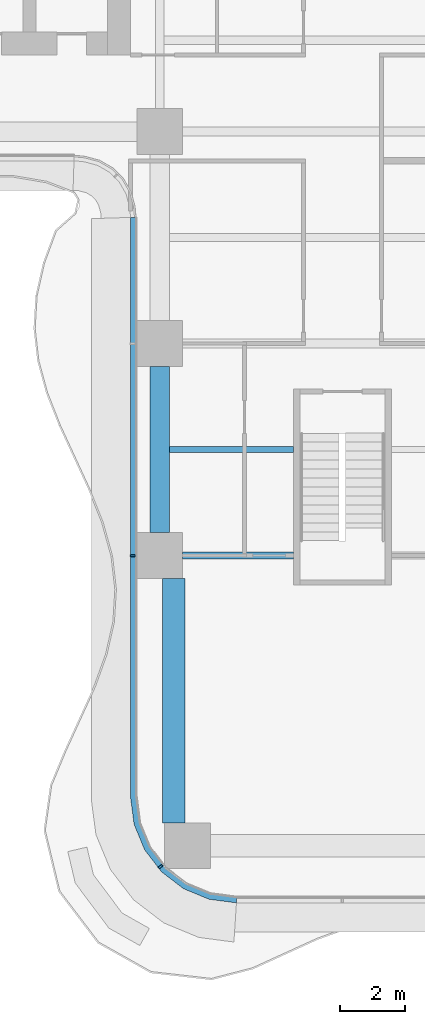
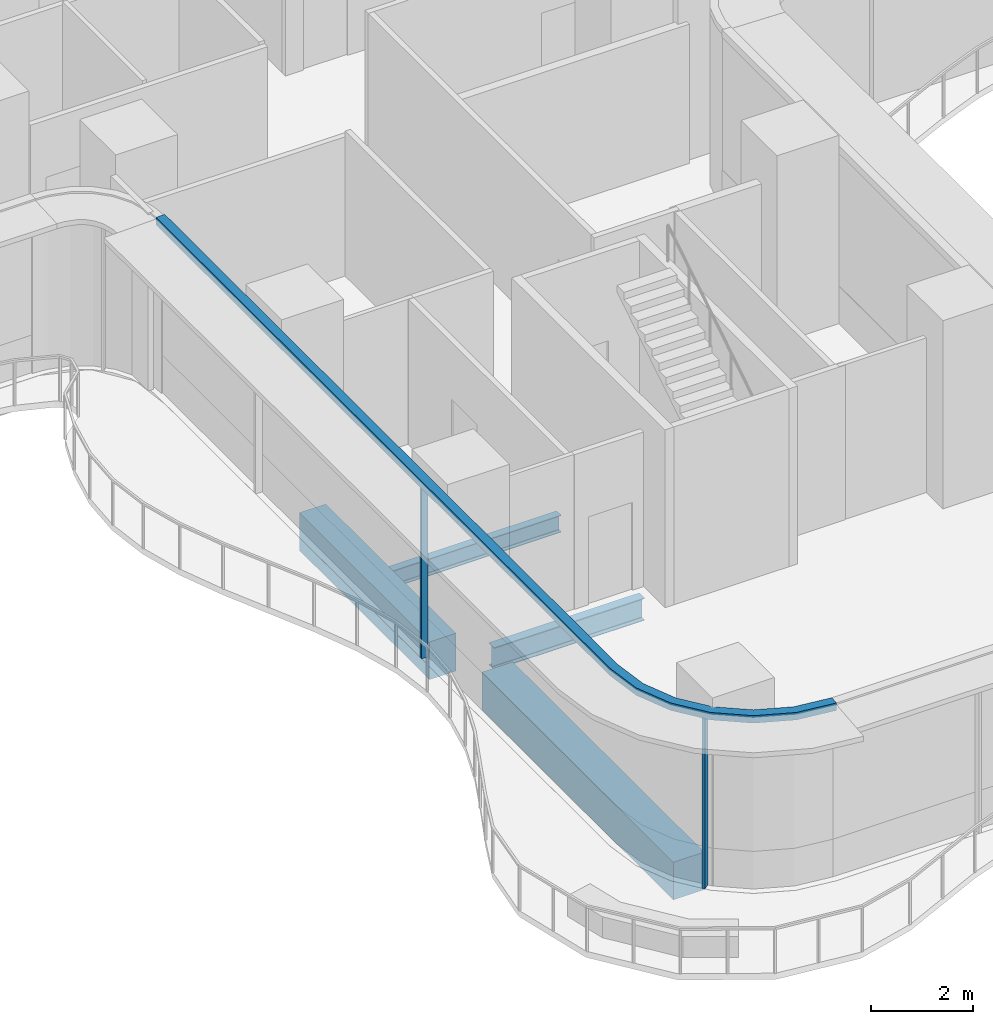
# One storey, part 2 of 22: 4 beams, 3 members, 1 element without a shape of its own.
"""IFC4 building model written with IfcOpenShell, lengths in metres."""

import ifcopenshell
import ifcopenshell.guid

model = None  # the IFC model being written
_history = None  # IfcOwnerHistory: only IFC2X3 demands one
_inside = {}  # id of a spatial element -> (the spatial element, [elements in it])
_under = {}  # id of a project, library or spatial element -> (it, [spatial elements below it])
_declared = {}  # id of a project -> (the project, [libraries it declares])
_typed = {}  # id of a type object -> (the type object, [elements of that type])
_made_of = {}  # id of a material, layer set ... -> (it, [elements and type objects made of it])


def new_model(schema):
    """Start an empty IFC model of exactly this schema.

    Asked for "IFC4X3", IfcOpenShell would pick the latest addendum, in which some entities
    have other attributes; the version numbers below select the first issue.
    IFC2X3 requires an IfcOwnerHistory on every rooted entity: one is made here for all.
    """
    global model, _history
    if schema == "IFC4X3":
        model = ifcopenshell.file(schema_version=(4, 3, 0, 0))
    else:
        model = ifcopenshell.file(schema=schema)
    _inside.clear()
    _under.clear()
    _declared.clear()
    _typed.clear()
    _made_of.clear()
    _history = None
    if model.schema == "IFC2X3":
        org = make("IfcOrganization", Name="unknown")
        user = make(
            "IfcPersonAndOrganization",
            ThePerson=make("IfcPerson", FamilyName="unknown"),
            TheOrganization=org,
        )
        app = make(
            "IfcApplication",
            ApplicationDeveloper=org,
            Version="unknown",
            ApplicationFullName="unknown",
            ApplicationIdentifier="unknown",
        )
        _history = make(
            "IfcOwnerHistory",
            OwningUser=user,
            OwningApplication=app,
            ChangeAction="ADDED",
            CreationDate=0,
        )
    return model


def make(cls, **values):
    """One entity of the class cls with the attributes given. An attribute that is None is left unset."""
    return model.create_entity(
        cls, **{name: value for name, value in values.items() if value is not None}
    )


def rooted(cls, **values):
    """An entity with a GlobalId (a new one), such as an element, a storey or a relation."""
    return make(cls, GlobalId=ifcopenshell.guid.new(), OwnerHistory=_history, **values)


def si_unit(unit_type, name, prefix=None):
    """IfcSIUnit, for example si_unit("LENGTHUNIT", "METRE", prefix="MILLI")."""
    return make("IfcSIUnit", UnitType=unit_type, Prefix=prefix, Name=name)


def assignment(units):
    """IfcUnitAssignment: the units of a project."""
    return None if units is None else make("IfcUnitAssignment", Units=units)


def point(xyz):
    """IfcCartesianPoint."""
    return None if xyz is None else make("IfcCartesianPoint", Coordinates=xyz)


def direction(xyz):
    """IfcDirection."""
    return None if xyz is None else make("IfcDirection", DirectionRatios=xyz)


def frame(location, z_axis=None, x_axis=None):
    """IfcAxis2Placement3D, a coordinate frame: its origin and axes. An axis left out is left unset."""
    return make(
        "IfcAxis2Placement3D",
        Location=point(location),
        Axis=direction(z_axis),
        RefDirection=direction(x_axis),
    )


def frame_2d(location, x_axis=None):
    """IfcAxis2Placement2D, a coordinate frame in the plane: its origin and x axis."""
    return make(
        "IfcAxis2Placement2D", Location=point(location), RefDirection=direction(x_axis)
    )


def origin():
    """The frame at (0, 0, 0) with its axes left unset."""
    return frame((0.0, 0.0, 0.0))


def origin_2d():
    """The frame at (0, 0) in the plane with its x axis left unset."""
    return frame_2d((0.0, 0.0))


def place(relative_to, where):
    """IfcLocalPlacement: puts the frame where relative to a parent placement (None: the world)."""
    return make(
        "IfcLocalPlacement", PlacementRelTo=relative_to, RelativePlacement=where
    )


def context(
    kind, dimensions, precision=None, world=None, true_north=None, identifier=None
):
    """IfcGeometricRepresentationContext, for example the 3D "Model" context."""
    return make(
        "IfcGeometricRepresentationContext",
        ContextIdentifier=identifier,
        ContextType=kind,
        CoordinateSpaceDimension=dimensions,
        Precision=precision,
        WorldCoordinateSystem=world,
        TrueNorth=true_north,
    )


def subcontext(parent, identifier, kind, view, scale=None):
    """IfcGeometricRepresentationSubContext, for example "Body" below "Model"."""
    return make(
        "IfcGeometricRepresentationSubContext",
        ContextIdentifier=identifier,
        ContextType=kind,
        ParentContext=parent,
        TargetScale=scale,
        TargetView=view,
    )


def project(units=None, contexts=None):
    """IfcProject with its units and contexts."""
    return rooted(
        "IfcProject",
        Name="project",
        RepresentationContexts=contexts,
        UnitsInContext=assignment(units),
    )


def spatial(cls, under=None, at=None, **own):
    """A site, building, storey or space (cls), placed at a placement, below another one or the project."""
    s = rooted(cls, ObjectPlacement=at, **own)
    if under is not None:
        _under.setdefault(under.id(), (under, []))[1].append(s)
    return s


def polyline(points):
    """IfcPolyline through the points."""
    return make("IfcPolyline", Points=[point(p) for p in points])


def profile(cls, at=None, kind="AREA", **sizes):
    """A parametric profile (cls). Its sizes go by their IFC names, for example OverallWidth=200.0."""
    return make(cls, ProfileType=kind, Position=at, **sizes)


def rectangle(**sizes):
    """IfcRectangleProfileDef."""
    return profile("IfcRectangleProfileDef", **sizes)


def i_section(**sizes):
    """IfcIShapeProfileDef."""
    return profile("IfcIShapeProfileDef", **sizes)


def outline(outer, holes=None, kind="AREA"):
    """IfcArbitraryClosedProfileDef: a profile drawn as a closed curve; with holes, ...WithVoids."""
    if holes is None:
        return make("IfcArbitraryClosedProfileDef", ProfileType=kind, OuterCurve=outer)
    return make(
        "IfcArbitraryProfileDefWithVoids",
        ProfileType=kind,
        OuterCurve=outer,
        InnerCurves=holes,
    )


def extrude(swept, where, along, depth):
    """IfcExtrudedAreaSolid: the profile swept, set in the frame where, extruded along a direction by depth."""
    return make(
        "IfcExtrudedAreaSolid",
        SweptArea=swept,
        Position=where,
        ExtrudedDirection=direction(along),
        Depth=depth,
    )


def shape(context_of_items, identifier, shape_type, items):
    """IfcShapeRepresentation: the items that make up one representation, for example the "Body"."""
    return make(
        "IfcShapeRepresentation",
        ContextOfItems=context_of_items,
        RepresentationIdentifier=identifier,
        RepresentationType=shape_type,
        Items=items,
    )


def source(mapping_origin, context_of_items, identifier, shape_type, items):
    """IfcRepresentationMap: a shape defined once, which mapped items show again and again."""
    return make(
        "IfcRepresentationMap",
        MappingOrigin=mapping_origin,
        MappedRepresentation=shape(context_of_items, identifier, shape_type, items),
    )


def transform(
    local_origin,
    x_axis=None,
    y_axis=None,
    z_axis=None,
    scale=None,
    scale2=None,
    scale3=None,
    uniform=True,
):
    """IfcCartesianTransformationOperator3D, or its non-uniform kind. x_axis, y_axis, z_axis: its Axis1, 2, 3."""
    if uniform:
        return make(
            "IfcCartesianTransformationOperator3D",
            Axis1=direction(x_axis),
            Axis2=direction(y_axis),
            LocalOrigin=point(local_origin),
            Scale=scale,
            Axis3=direction(z_axis),
        )
    return make(
        "IfcCartesianTransformationOperator3DnonUniform",
        Axis1=direction(x_axis),
        Axis2=direction(y_axis),
        LocalOrigin=point(local_origin),
        Scale=scale,
        Axis3=direction(z_axis),
        Scale2=scale2,
        Scale3=scale3,
    )


def mapped(mapping_source, mapping_target):
    """IfcMappedItem: shows the shape of a source again, moved by a transform."""
    return make(
        "IfcMappedItem", MappingSource=mapping_source, MappingTarget=mapping_target
    )


def material(Name=None, Category=None):
    """IfcMaterial."""
    return make("IfcMaterial", Name=Name, Category=Category)


def layer(
    of_material, thickness, ventilated=None, Name=None, Category=None, Priority=None
):
    """IfcMaterialLayer: one layer of a wall or slab, of a material (None: an air gap)."""
    return make(
        "IfcMaterialLayer",
        Material=of_material,
        LayerThickness=thickness,
        IsVentilated=ventilated,
        Name=Name,
        Category=Category,
        Priority=Priority,
    )


def layer_set(layers, Name=None):
    """IfcMaterialLayerSet."""
    return make("IfcMaterialLayerSet", MaterialLayers=layers, LayerSetName=Name)


def material_profile(
    of_material, cross_section, Name=None, Category=None, Priority=None
):
    """IfcMaterialProfile: a cross section and its material."""
    return make(
        "IfcMaterialProfile",
        Name=Name,
        Material=of_material,
        Profile=cross_section,
        Priority=Priority,
        Category=Category,
    )


def profile_set(profiles, Name=None, composite=None):
    """IfcMaterialProfileSet."""
    return make(
        "IfcMaterialProfileSet",
        Name=Name,
        MaterialProfiles=profiles,
        CompositeProfile=composite,
    )


def made_of(thing, what):
    """Note that an element or type object is made of a material, layer set ...; save() writes the relation."""
    if what is not None:
        _made_of.setdefault(what.id(), (what, []))[1].append(thing)
    return thing


def type_object(cls, material=None, **own):
    """A type object (cls), such as IfcWallType, which elements share."""
    return made_of(rooted(cls, **own), material)


def element(
    cls,
    number,
    at=None,
    inside=None,
    cuts=None,
    type_object=None,
    material=None,
    context=None,
    identifier="Body",
    shape_type=None,
    held_by="IfcProductDefinitionShape",
    body=None,
    shapes=None,
    **own,
):
    """One element of the class cls, such as IfcWall. Its Tag is "e" and its number.

    at: its placement. inside: the storey or other place that contains it. cuts: it is an
    opening in that element (IfcRelVoidsElement). A single representation is given by context,
    identifier, shape_type and body (its items); several are given by shapes. held_by: the class
    of the entity that holds the representations. save() writes the other relations.
    """
    e = rooted(cls, Tag="e%d" % number, ObjectPlacement=at, **own)
    if body is not None:
        shapes = [shape(context, identifier, shape_type, body)]
    if shapes is not None:
        e.Representation = make(held_by, Representations=shapes)
    if inside is not None:
        _inside.setdefault(inside.id(), (inside, []))[1].append(e)
    if cuts is not None:
        rooted(
            "IfcRelVoidsElement", RelatingBuildingElement=cuts, RelatedOpeningElement=e
        )
    if type_object is not None:
        _typed.setdefault(type_object.id(), (type_object, []))[1].append(e)
    return made_of(e, material)


def aggregate(whole, parts):
    """IfcRelAggregates: a whole, such as a stair, and the parts it consists of."""
    return rooted("IfcRelAggregates", RelatingObject=whole, RelatedObjects=parts)


def save(model, path):
    """Write the relations noted so far, then the file.

    IfcRelAggregates (storeys below a building ...), IfcRelContainedInSpatialStructure (elements
    in a storey), IfcRelDefinesByType, IfcRelAssociatesMaterial and IfcRelDeclares: one each for
    every whole, place, type object, material and project.
    """
    for whole, parts in _under.values():
        aggregate(whole, parts)
    for where, things in _inside.values():
        rooted(
            "IfcRelContainedInSpatialStructure",
            RelatedElements=things,
            RelatingStructure=where,
        )
    for kind, things in _typed.values():
        rooted("IfcRelDefinesByType", RelatedObjects=things, RelatingType=kind)
    for what, things in _made_of.values():
        rooted("IfcRelAssociatesMaterial", RelatedObjects=things, RelatingMaterial=what)
    for by, libraries in _declared.values():
        rooted("IfcRelDeclares", RelatingContext=by, RelatedDefinitions=libraries)
    model.write(path)


model = new_model("IFC4")

# Units and contexts
model_context = context("Model", 3, precision=1e-05, world=origin(), true_north=direction((0.0, 1.0)))
body_context = subcontext(model_context, "Body", "Model", "MODEL_VIEW")
ifc_project = project(units=[si_unit("LENGTHUNIT", "METRE"), si_unit("AREAUNIT", "SQUARE_METRE"), si_unit("VOLUMEUNIT", "CUBIC_METRE"), si_unit("PLANEANGLEUNIT", "RADIAN"), si_unit("MASSUNIT", "GRAM", prefix="KILO")], contexts=[model_context])

# Site, building, storey
site_placement = place(None, origin())
site = spatial("IfcSite", under=ifc_project, at=site_placement, CompositionType="ELEMENT")
building_placement = place(site_placement, origin())
building = spatial("IfcBuilding", under=site, at=building_placement, Name="Trellis Farm Tower", CompositionType="ELEMENT")
storey_placement = place(building_placement, frame((0.0, 0.0, 38.5)))
storey = spatial("IfcBuildingStorey", under=building, at=storey_placement, Name="L07", CompositionType="ELEMENT", Elevation=38.5)

# Beams
ifc_material_1 = material(Name="Steel S355", Category="steel")
ifc_material_profile_1 = material_profile(ifc_material_1, i_section(OverallWidth=0.209228515625, OverallDepth=0.533203125, WebThickness=0.010009765625, FlangeThickness=0.015625, FilletRadius=0.0126953125, at=origin_2d()), Name="UB 533x210x92")
ifc_profile_set_1 = profile_set([ifc_material_profile_1], Name="Steel S355")
beam_type_1 = type_object("IfcBeamType", Name="UB 533x210x92", PredefinedType="BEAM", material=ifc_profile_set_1)
shared_shape_1 = source(origin(), body_context, "Body", "SweptSolid", [
    extrude(i_section(OverallWidth=0.209228515625, OverallDepth=0.533203125, WebThickness=0.010009765625, FlangeThickness=0.015625, FilletRadius=0.0126953125, at=origin_2d()), origin(), (0.0, 0.0, 1.0), 3.39990234375),
])
beam_1_placement = place(storey_placement, frame((-4.89990234375, -18.60009765625, -0.5166015625), z_axis=(1.0, 0.0, 0.0), x_axis=(0.0, 1.0, 0.0)))
element("IfcBeam", 1, at=beam_1_placement, inside=storey, type_object=beam_type_1, Name="Girder", PredefinedType="BEAM", context=body_context, shape_type="MappedRepresentation", body=[
    mapped(shared_shape_1, transform((0.0, 0.0, 0.0))),
])
ifc_material_2 = material(Name="Concrete C60/75", Category="concrete")
ifc_material_profile_2 = material_profile(ifc_material_2, rectangle(XDim=0.60009765625, YDim=0.89990234375, at=origin_2d()), Name="RC spandrel beam 600x900 C60/75")
ifc_profile_set_2 = profile_set([ifc_material_profile_2], Name="Concrete C60/75")
beam_type_2 = type_object("IfcBeamType", Name="RC spandrel beam 600x900 C60/75", PredefinedType="SPANDREL", material=ifc_profile_set_2)
shared_shape_2 = source(origin(), body_context, "Body", "SweptSolid", [
    extrude(rectangle(XDim=0.60009765625, YDim=0.89990234375, at=origin_2d()), origin(), (0.0, 0.0, 1.0), 5.099853515625),
])
beam_2_placement = place(storey_placement, frame((-5.60009765625, -17.89990234375, -0.699951171875), z_axis=(0.0, 1.0, 0.0), x_axis=(-1.0, 0.0, 0.0)))
element("IfcBeam", 2, at=beam_2_placement, inside=storey, type_object=beam_type_2, Name="Girder", PredefinedType="SPANDREL", context=body_context, shape_type="MappedRepresentation", body=[
    mapped(shared_shape_2, transform((0.0, 0.0, 0.0))),
])
ifc_material_profile_3 = material_profile(ifc_material_2, rectangle(XDim=0.699951171875, YDim=0.89990234375, at=origin_2d()), Name="RC spandrel beam 700x900 C60/75")
ifc_profile_set_3 = profile_set([ifc_material_profile_3], Name="Concrete C60/75")
beam_type_3 = type_object("IfcBeamType", Name="RC spandrel beam 700x900 C60/75", PredefinedType="SPANDREL", material=ifc_profile_set_3)
shared_shape_3 = source(origin(), body_context, "Body", "SweptSolid", [
    extrude(rectangle(XDim=0.699951171875, YDim=0.89990234375, at=origin_2d()), origin(), (0.0, 0.0, 1.0), 7.5),
])
beam_3_placement = place(storey_placement, frame((-5.175048828125, -26.800048828125, -0.699951171875), z_axis=(0.0, 1.0, 0.0), x_axis=(-1.0, 0.0, 0.0)))
element("IfcBeam", 3, at=beam_3_placement, inside=storey, type_object=beam_type_3, Name="Girder", PredefinedType="SPANDREL", context=body_context, shape_type="MappedRepresentation", body=[
    mapped(shared_shape_3, transform((0.0, 0.0, 0.0))),
])
ifc_material_profile_4 = material_profile(ifc_material_1, i_section(OverallWidth=0.177978515625, OverallDepth=0.406494140625, WebThickness=0.0078125, FlangeThickness=0.0126953125, FilletRadius=0.01025390625, at=origin_2d()), Name="UB 406x178x60")
ifc_profile_set_4 = profile_set([ifc_material_profile_4], Name="Steel S355")
beam_type_4 = type_object("IfcBeamType", Name="UB 406x178x60 joist", PredefinedType="JOIST", material=ifc_profile_set_4)
shared_shape_4 = source(origin(), body_context, "Body", "SweptSolid", [
    extrude(i_section(OverallWidth=0.177978515625, OverallDepth=0.406494140625, WebThickness=0.0078125, FlangeThickness=0.0126953125, FilletRadius=0.01025390625, at=origin_2d()), origin(), (0.0, 0.0, 1.0), 3.800048828125),
])
beam_4_placement = place(storey_placement, frame((-5.300048828125, -15.35009765625, -0.453125), z_axis=(1.0, 0.0, 0.0), x_axis=(0.0, 1.0, 0.0)))
element("IfcBeam", 4, at=beam_4_placement, inside=storey, type_object=beam_type_4, Name="Floor beam", PredefinedType="JOIST", context=body_context, shape_type="MappedRepresentation", body=[
    mapped(shared_shape_4, transform((0.0, 0.0, 0.0))),
])

# Curtain wall, members
ifc_material_3 = material(Name="Aluminium and glass curtain wall", Category="aluminium")
ifc_layer_1 = layer(ifc_material_3, 0.18994140625)
ifc_layer_set_1 = layer_set([ifc_layer_1], Name="RIBBON CURTAIN WALL CW1")
curtain_wall_type = type_object("IfcCurtainWallType", Name="RIBBON CURTAIN WALL CW1", PredefinedType="NOTDEFINED", material=ifc_layer_set_1)
curtain_wall_placement = place(storey_placement, origin())
curtain_wall = element("IfcCurtainWall", 5, at=curtain_wall_placement, inside=storey, type_object=curtain_wall_type, Name="CW1 002", PredefinedType="NOTDEFINED")
ifc_material_4 = material(Name="Aluminium extrusion 6063-T6", Category="aluminium")
ifc_material_profile_5 = material_profile(ifc_material_4, rectangle(XDim=0.06005859375, YDim=0.14990234375, at=origin_2d()), Name="MULLION 60x150")
ifc_profile_set_5 = profile_set([ifc_material_profile_5], Name="Aluminium extrusion 6063-T6")
member_type_1 = type_object("IfcMemberType", Name="CW1 MULLION 60x150", PredefinedType="MULLION", material=ifc_profile_set_5)
shared_shape_5 = source(origin(), body_context, "Body", "SweptSolid", [
    extrude(rectangle(XDim=0.06005859375, YDim=0.14990234375, at=origin_2d()), origin(), (0.0, 0.0, 1.0), 4.070068359375),
])
member_1_placement = place(storey_placement, frame((-6.425048828125, -18.60009765625, 0.0), z_axis=(0.0, 0.0, 1.0), x_axis=(0.0, -1.0, 0.0)))
member_1 = element("IfcMember", 6, at=member_1_placement, type_object=member_type_1, Name="MU1 002-02", PredefinedType="MULLION", context=body_context, shape_type="MappedRepresentation", body=[
    mapped(shared_shape_5, transform((0.0, 0.0, 0.0))),
])
member_2_placement = place(storey_placement, frame((-5.578369140625, -28.135498046875, 0.0), z_axis=(0.0, 0.0, 1.0), x_axis=(0.608761429009, -0.793353340291, 0.0)))
member_2 = element("IfcMember", 7, at=member_2_placement, type_object=member_type_1, Name="MU1 002-03", PredefinedType="MULLION", context=body_context, shape_type="MappedRepresentation", body=[
    mapped(shared_shape_5, transform((0.0, 0.0, 0.0))),
])
ifc_layer_2 = layer(ifc_material_4, 0.199951171875)
ifc_layer_set_2 = layer_set([ifc_layer_2], Name="Aluminium extrusion 6063-T6")
member_type_2 = type_object("IfcMemberType", Name="CW1 TRANSOM 200x180", PredefinedType="USERDEFINED", material=ifc_layer_set_2)
shared_shape_6 = source(origin(), body_context, "Body", "SweptSolid", [
    extrude(outline(polyline([(-6.5, -8.2314453125), (-6.5, -26.0), (-6.38916015625, -26.841064453125), (-6.064697265625, -27.625), (-5.548095703125, -28.298095703125), (-4.875, -28.814697265625), (-4.091064453125, -29.13916015625), (-3.25, -29.25), (-3.23681640625, -29.050048828125), (-4.0390625, -28.9443359375), (-4.774169921875, -28.639892578125), (-5.405517578125, -28.155517578125), (-5.889892578125, -27.524169921875), (-6.1943359375, -26.7890625), (-6.300048828125, -25.98681640625), (-6.300048828125, -8.224853515625), (-6.5, -8.2314453125)])), origin(), (0.0, 0.0, 1.0), 0.179931640625),
])
member_3_placement = place(storey_placement, frame((0.0, 0.0, 4.070068359375)))
member_3 = element("IfcMember", 8, at=member_3_placement, type_object=member_type_2, Name="TR1 002", ObjectType="TRANSOM", PredefinedType="USERDEFINED", context=body_context, shape_type="MappedRepresentation", body=[
    mapped(shared_shape_6, transform((0.0, 0.0, 0.0))),
])
aggregate(curtain_wall, [member_1, member_2, member_3])

save(model, "model.ifc")
